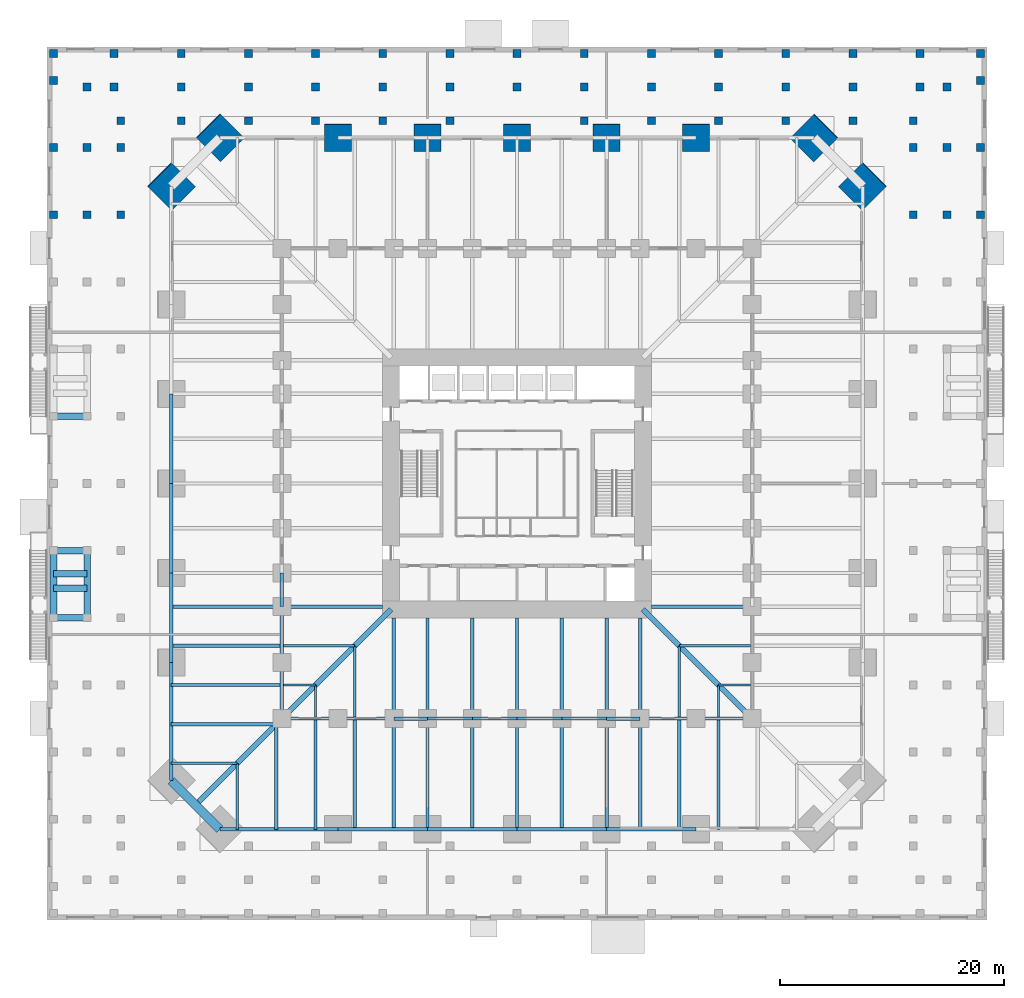
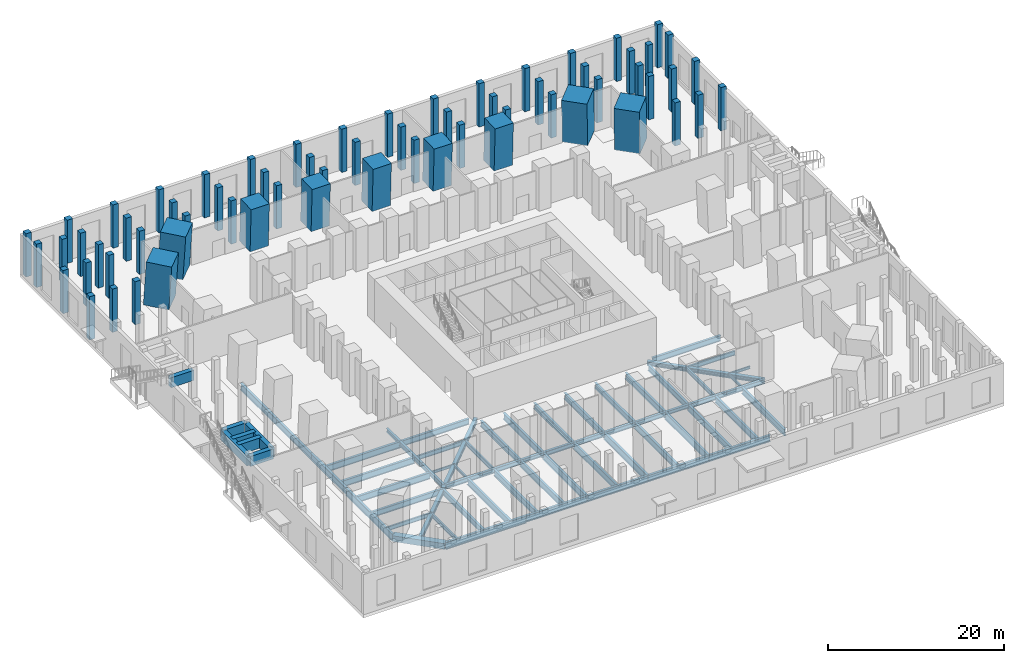
# One storey, part 8 of 20: 68 beams, 65 columns.
"""IFC4 building model written with IfcOpenShell, lengths in metres."""

from ifc_helpers import new_model, si_unit, direction, frame, origin, origin_2d, place, context, subcontext, project, spatial, rectangle, hollow_rectangle, i_section, extrude, material, material_profile, profile_set, type_object, element, save


model = new_model("IFC4")

# Units and contexts
model_context = context("Model", 3, precision=1e-05, world=origin(), true_north=direction((0.0, 1.0)))
body_context = subcontext(model_context, "Body", "Model", "MODEL_VIEW")
ifc_project = project(units=[si_unit("LENGTHUNIT", "METRE"), si_unit("AREAUNIT", "SQUARE_METRE"), si_unit("VOLUMEUNIT", "CUBIC_METRE"), si_unit("PLANEANGLEUNIT", "RADIAN"), si_unit("MASSUNIT", "GRAM", prefix="KILO")], contexts=[model_context])

# Site, building, storey
site_placement = place(None, origin())
site = spatial("IfcSite", under=ifc_project, at=site_placement, CompositionType="ELEMENT")
building_placement = place(site_placement, origin())
building = spatial("IfcBuilding", under=site, at=building_placement, Name="Peilmerk Tower", CompositionType="ELEMENT")
storey_placement = place(building_placement, origin())
storey = spatial("IfcBuildingStorey", under=building, at=storey_placement, Name="L00", CompositionType="ELEMENT", Elevation=0.0)

# Columns
ifc_material_1 = material(Name="Concrete C90/105", Category="concrete")
ifc_material_profile_1 = material_profile(ifc_material_1, rectangle(XDim=3.0, YDim=3.0, at=origin_2d()), Name="RC 3000x3000")
ifc_profile_set_1 = profile_set([ifc_material_profile_1], Name="Concrete C90/105")
column_type_1 = type_object("IfcColumnType", Name="MC1 3000x3000 encased mega column", PredefinedType="COLUMN", material=ifc_profile_set_1)
for number, where, z_axis, x_axis, name in (
    (1, (26.546875, 30.896728515625, 0.0), (-0.040258485407, -0.040258485407, 0.998377938811), (0.707106781187, -0.707106781187, 0.0), "Mega column MC1 NE_N L00"),
    (2, (30.896728515625, 26.546875, 0.0), (-0.040258485407, -0.040258485407, 0.998377938811), (0.707106781187, -0.707106781187, 0.0), "Mega column MC1 NE_E L00"),
    (3, (-30.896728515625, 26.546875, 0.0), (0.040258485407, -0.040258485407, 0.998377938811), (0.707106781187, 0.707106781187, 0.0), "Mega column MC1 NW_W L00"),
    (4, (-26.546875, 30.896728515625, 0.0), (0.040258485407, -0.040258485407, 0.998377938811), (0.707106781187, 0.707106781187, 0.0), "Mega column MC1 NW_N L00"),
):
    element("IfcColumn", number, at=place(storey_placement, frame(where, z_axis=z_axis, x_axis=x_axis)), inside=storey, type_object=column_type_1, Name=name, PredefinedType="COLUMN", context=body_context, shape_type="SweptSolid", body=[
        extrude(rectangle(XDim=3.0, YDim=3.0, at=origin_2d()), origin(), (0.0, 0.0, 1.0), 6.009765625),
    ])
ifc_material_2 = material(Name="Concrete C55/67", Category="concrete")
ifc_material_profile_2 = material_profile(ifc_material_2, rectangle(XDim=0.699951171875, YDim=0.699951171875, at=origin_2d()), Name="RC 700x700")
ifc_profile_set_2 = profile_set([ifc_material_profile_2], Name="Concrete C55/67")
column_type_2 = type_object("IfcColumnType", Name="PC1 700x700 podium column", PredefinedType="COLUMN", material=ifc_profile_set_2)
for number, where, z_axis, x_axis, name in (
    (5, (-35.39990234375, 24.0, 0.0), (0.0, 0.0, 1.0), (1.0, 0.0, 0.0), "Podium column ring A L00"),
    (6, (-35.39990234375, 30.0, 0.0), (0.0, 0.0, 1.0), (1.0, 0.0, 0.0), "Podium column ring A L00"),
    (7, (-35.39990234375, 32.39990234375, 0.0), (0.0, 0.0, 1.0), (1.0, 0.0, 0.0), "Podium column ring A L00"),
    (8, (-30.0, 32.39990234375, 0.0), (0.0, 0.0, 1.0), (1.0, 0.0, 0.0), "Podium column ring A L00"),
    (9, (-24.0, 32.39990234375, 0.0), (0.0, 0.0, 1.0), (1.0, 0.0, 0.0), "Podium column ring A L00"),
    (10, (-18.0, 32.39990234375, 0.0), (0.0, 0.0, 1.0), (1.0, 0.0, 0.0), "Podium column ring A L00"),
    (11, (-12.0, 32.39990234375, 0.0), (0.0, 0.0, 1.0), (1.0, 0.0, 0.0), "Podium column ring A L00"),
    (12, (-6.0, 32.39990234375, 0.0), (0.0, 0.0, 1.0), (1.0, 0.0, 0.0), "Podium column ring A L00"),
    (13, (6.0, 32.39990234375, 0.0), (0.0, 0.0, 1.0), (1.0, 0.0, 0.0), "Podium column ring A L00"),
    (14, (12.0, 32.39990234375, 0.0), (0.0, 0.0, 1.0), (1.0, 0.0, 0.0), "Podium column ring A L00"),
    (15, (18.0, 32.39990234375, 0.0), (0.0, 0.0, 1.0), (1.0, 0.0, 0.0), "Podium column ring A L00"),
    (16, (24.0, 32.39990234375, 0.0), (0.0, 0.0, 1.0), (1.0, 0.0, 0.0), "Podium column ring A L00"),
    (17, (30.0, 32.39990234375, 0.0), (0.0, 0.0, 1.0), (1.0, 0.0, 0.0), "Podium column ring A L00"),
    (18, (35.39990234375, 24.0, 0.0), (0.0, 0.0, 1.0), (1.0, 0.0, 0.0), "Podium column ring A L00"),
    (19, (35.39990234375, 30.0, 0.0), (0.0, 0.0, 1.0), (1.0, 0.0, 0.0), "Podium column ring A L00"),
    (20, (35.39990234375, 32.39990234375, 0.0), (0.0, 0.0, 1.0), (1.0, 0.0, 0.0), "Podium column ring A L00"),
    (21, (-38.39990234375, 24.0, 0.0), (0.0, 0.0, 1.0), (1.0, 0.0, 0.0), "Podium column ring B L00"),
    (22, (-38.39990234375, 30.0, 0.0), (0.0, 0.0, 1.0), (1.0, 0.0, 0.0), "Podium column ring B L00"),
    (23, (-38.39990234375, 35.39990234375, 0.0), (0.0, 0.0, 1.0), (1.0, 0.0, 0.0), "Podium column ring B L00"),
    (24, (-36.0, 35.39990234375, 0.0), (0.0, 0.0, 1.0), (1.0, 0.0, 0.0), "Podium column ring B L00"),
    (25, (-30.0, 35.39990234375, 0.0), (0.0, 0.0, 1.0), (1.0, 0.0, 0.0), "Podium column ring B L00"),
    (26, (-24.0, 35.39990234375, 0.0), (0.0, 0.0, 1.0), (1.0, 0.0, 0.0), "Podium column ring B L00"),
    (27, (-18.0, 35.39990234375, 0.0), (0.0, 0.0, 1.0), (1.0, 0.0, 0.0), "Podium column ring B L00"),
    (28, (-12.0, 35.39990234375, 0.0), (0.0, 0.0, 1.0), (1.0, 0.0, 0.0), "Podium column ring B L00"),
    (29, (-6.0, 35.39990234375, 0.0), (0.0, 0.0, 1.0), (1.0, 0.0, 0.0), "Podium column ring B L00"),
    (30, (0.0, 35.39990234375, 0.0), (0.0, 0.0, 1.0), (1.0, 0.0, 0.0), "Podium column ring B L00"),
    (31, (6.0, 35.39990234375, 0.0), (0.0, 0.0, 1.0), (1.0, 0.0, 0.0), "Podium column ring B L00"),
    (32, (12.0, 35.39990234375, 0.0), (0.0, 0.0, 1.0), (1.0, 0.0, 0.0), "Podium column ring B L00"),
    (33, (18.0, 35.39990234375, 0.0), (0.0, 0.0, 1.0), (1.0, 0.0, 0.0), "Podium column ring B L00"),
    (34, (24.0, 35.39990234375, 0.0), (0.0, 0.0, 1.0), (1.0, 0.0, 0.0), "Podium column ring B L00"),
    (35, (30.0, 35.39990234375, 0.0), (0.0, 0.0, 1.0), (1.0, 0.0, 0.0), "Podium column ring B L00"),
    (36, (36.0, 35.39990234375, 0.0), (0.0, 0.0, 1.0), (1.0, 0.0, 0.0), "Podium column ring B L00"),
    (37, (38.39990234375, 24.0, 0.0), (0.0, 0.0, 1.0), (1.0, 0.0, 0.0), "Podium column ring B L00"),
    (38, (38.39990234375, 30.0, 0.0), (0.0, 0.0, 1.0), (1.0, 0.0, 0.0), "Podium column ring B L00"),
    (39, (38.39990234375, 35.39990234375, 0.0), (0.0, 0.0, 1.0), (1.0, 0.0, 0.0), "Podium column ring B L00"),
    (40, (-41.39990234375, 24.0, 0.0), (0.0, 0.0, 1.0), (1.0, 0.0, 0.0), "Podium column ring C L00"),
    (41, (-41.39990234375, 30.0, 0.0), (0.0, 0.0, 1.0), (1.0, 0.0, 0.0), "Podium column ring C L00"),
    (42, (-41.39990234375, 36.0, 0.0), (0.0, 0.0, 1.0), (1.0, 0.0, 0.0), "Podium column ring C L00"),
    (43, (-41.39990234375, 38.39990234375, 0.0), (0.0, 0.0, 1.0), (1.0, 0.0, 0.0), "Podium column ring C L00"),
    (44, (-36.0, 38.39990234375, 0.0), (0.0, 0.0, 1.0), (1.0, 0.0, 0.0), "Podium column ring C L00"),
    (45, (-30.0, 38.39990234375, 0.0), (0.0, 0.0, 1.0), (1.0, 0.0, 0.0), "Podium column ring C L00"),
    (46, (-24.0, 38.39990234375, 0.0), (0.0, 0.0, 1.0), (1.0, 0.0, 0.0), "Podium column ring C L00"),
    (47, (-18.0, 38.39990234375, 0.0), (0.0, 0.0, 1.0), (1.0, 0.0, 0.0), "Podium column ring C L00"),
    (48, (-12.0, 38.39990234375, 0.0), (0.0, 0.0, 1.0), (1.0, 0.0, 0.0), "Podium column ring C L00"),
    (49, (-6.0, 38.39990234375, 0.0), (0.0, 0.0, 1.0), (1.0, 0.0, 0.0), "Podium column ring C L00"),
    (50, (0.0, 38.39990234375, 0.0), (0.0, 0.0, 1.0), (1.0, 0.0, 0.0), "Podium column ring C L00"),
    (51, (6.0, 38.39990234375, 0.0), (0.0, 0.0, 1.0), (1.0, 0.0, 0.0), "Podium column ring C L00"),
    (52, (12.0, 38.39990234375, 0.0), (0.0, 0.0, 1.0), (1.0, 0.0, 0.0), "Podium column ring C L00"),
    (53, (18.0, 38.39990234375, 0.0), (0.0, 0.0, 1.0), (1.0, 0.0, 0.0), "Podium column ring C L00"),
    (54, (24.0, 38.39990234375, 0.0), (0.0, 0.0, 1.0), (1.0, 0.0, 0.0), "Podium column ring C L00"),
    (55, (30.0, 38.39990234375, 0.0), (0.0, 0.0, 1.0), (1.0, 0.0, 0.0), "Podium column ring C L00"),
    (56, (36.0, 38.39990234375, 0.0), (0.0, 0.0, 1.0), (1.0, 0.0, 0.0), "Podium column ring C L00"),
    (57, (41.39990234375, 24.0, 0.0), (0.0, 0.0, 1.0), (1.0, 0.0, 0.0), "Podium column ring C L00"),
    (58, (41.39990234375, 30.0, 0.0), (0.0, 0.0, 1.0), (1.0, 0.0, 0.0), "Podium column ring C L00"),
    (59, (41.39990234375, 36.0, 0.0), (0.0, 0.0, 1.0), (1.0, 0.0, 0.0), "Podium column ring C L00"),
    (60, (41.39990234375, 38.39990234375, 0.0), (0.0, 0.0, 1.0), (1.0, 0.0, 0.0), "Podium column ring C L00"),
):
    element("IfcColumn", number, at=place(storey_placement, frame(where, z_axis=z_axis, x_axis=x_axis)), inside=storey, type_object=column_type_2, Name=name, PredefinedType="COLUMN", context=body_context, shape_type="SweptSolid", body=[
        extrude(rectangle(XDim=0.699951171875, YDim=0.699951171875, at=origin_2d()), origin(), (0.0, 0.0, 1.0), 6.0),
    ])
ifc_material_profile_3 = material_profile(ifc_material_1, rectangle(XDim=2.39990234375, YDim=2.39990234375, at=origin_2d()), Name="RC 2400x2400")
ifc_profile_set_3 = profile_set([ifc_material_profile_3], Name="Concrete C90/105")
column_type_3 = type_object("IfcColumnType", Name="SC1 2400x2400 encased perimeter column", PredefinedType="COLUMN", material=ifc_profile_set_3)
for number, where, z_axis, x_axis, name in (
    (61, (0.0, 30.896728515625, 0.0), (0.0, -0.0402911495, 0.999187981949), (1.0, 0.0, 0.0), "Perimeter column N+0 L00"),
    (62, (8.0, 30.896728515625, 0.0), (0.0, -0.0402911495, 0.999187981949), (1.0, 0.0, 0.0), "Perimeter column N-8 L00"),
    (63, (-8.0, 30.896728515625, 0.0), (0.0, -0.0402911495, 0.999187981949), (1.0, 0.0, 0.0), "Perimeter column N+8 L00"),
    (64, (16.0, 30.896728515625, 0.0), (0.0, -0.0402911495, 0.999187981949), (1.0, 0.0, 0.0), "Perimeter column N-16 L00"),
    (65, (-16.0, 30.896728515625, 0.0), (0.0, -0.0402911495, 0.999187981949), (1.0, 0.0, 0.0), "Perimeter column N+16 L00"),
):
    element("IfcColumn", number, at=place(storey_placement, frame(where, z_axis=z_axis, x_axis=x_axis)), inside=storey, type_object=column_type_3, Name=name, PredefinedType="COLUMN", context=body_context, shape_type="SweptSolid", body=[
        extrude(rectangle(XDim=2.39990234375, YDim=2.39990234375, at=origin_2d()), origin(), (0.0, 0.0, 1.0), 6.0048828125),
    ])

# Beams
ifc_material_3 = material(Name="Steel S355", Category="steel")
ifc_material_profile_4 = material_profile(ifc_material_3, i_section(OverallWidth=0.302001953125, OverallDepth=1.008056640625, WebThickness=0.02099609375, FlangeThickness=0.0400390625, at=origin_2d()), Name="HEM 1000")
ifc_profile_set_4 = profile_set([ifc_material_profile_4], Name="Steel S355")
beam_type_1 = type_object("IfcBeamType", Name="B1 HEM 1000 edge beam", PredefinedType="SPANDREL", material=ifc_profile_set_4)
for number, where, z_axis, x_axis, name in (
    (66, (-26.546875, -30.896728515625, -0.7041015625), (1.0, 0.0, 0.0), (0.0, 1.0, 0.0), "Edge beam L00"),
    (67, (-30.896728515625, -16.0, -0.7041015625), (0.0, -1.0, 0.0), (1.0, 0.0, 0.0), "Edge beam L00"),
):
    element("IfcBeam", number, at=place(storey_placement, frame(where, z_axis=z_axis, x_axis=x_axis)), inside=storey, type_object=beam_type_1, Name=name, PredefinedType="SPANDREL", context=body_context, shape_type="SweptSolid", body=[
        extrude(i_section(OverallWidth=0.302001953125, OverallDepth=1.008056640625, WebThickness=0.02099609375, FlangeThickness=0.0400390625, at=origin_2d()), origin(), (0.0, 0.0, 1.0), 10.546875),
    ])
ifc_material_profile_5 = material_profile(ifc_material_3, i_section(OverallWidth=0.219970703125, OverallDepth=0.60009765625, WebThickness=0.011962890625, FlangeThickness=0.01904296875, at=origin_2d()), Name="IPE 600")
ifc_profile_set_5 = profile_set([ifc_material_profile_5], Name="Steel S355")
beam_type_2 = type_object("IfcBeamType", Name="B10 IPE 600 floor beam", PredefinedType="BEAM", material=ifc_profile_set_5)
for number, where, z_axis, x_axis, name in (
    (68, (14.5, -14.5, -0.5), (0.0, -1.0, 0.0), (1.0, 0.0, 0.0), "Floor beam L00"),
    (69, (14.5, -14.5, -0.5), (1.0, 0.0, 0.0), (0.0, 1.0, 0.0), "Floor beam L00"),
    (70, (-14.5, -14.5, -0.5), (0.0, -1.0, 0.0), (1.0, 0.0, 0.0), "Floor beam L00"),
    (71, (-14.5, -14.5, -0.5), (-1.0, 0.0, 0.0), (0.0, -1.0, 0.0), "Floor beam L00"),
):
    element("IfcBeam", number, at=place(storey_placement, frame(where, z_axis=z_axis, x_axis=x_axis)), inside=storey, type_object=beam_type_2, Name=name, PredefinedType="BEAM", context=body_context, shape_type="SweptSolid", body=[
        extrude(i_section(OverallWidth=0.219970703125, OverallDepth=0.60009765625, WebThickness=0.011962890625, FlangeThickness=0.01904296875, at=origin_2d()), origin(), (0.0, 0.0, 1.0), 6.347412109375),
    ])
ifc_material_profile_6 = material_profile(ifc_material_3, i_section(OverallWidth=0.169921875, OverallDepth=0.360107421875, WebThickness=0.008056640625, FlangeThickness=0.0126953125, at=origin_2d()), Name="IPE 360")
ifc_profile_set_6 = profile_set([ifc_material_profile_6], Name="Steel S355")
beam_type_3 = type_object("IfcBeamType", Name="B11 IPE 360 floor beam", PredefinedType="BEAM", material=ifc_profile_set_6)
for number, where, z_axis, x_axis, name in (
    (72, (18.0, -18.0, -0.3798828125), (0.0, -1.0, 0.0), (1.0, 0.0, 0.0), "Floor beam L00"),
    (73, (18.0, -18.0, -0.3798828125), (1.0, 0.0, 0.0), (0.0, 1.0, 0.0), "Floor beam L00"),
    (74, (-18.0, -18.0, -0.3798828125), (0.0, -1.0, 0.0), (1.0, 0.0, 0.0), "Floor beam L00"),
    (75, (-18.0, -18.0, -0.3798828125), (-1.0, 0.0, 0.0), (0.0, -1.0, 0.0), "Floor beam L00"),
):
    element("IfcBeam", number, at=place(storey_placement, frame(where, z_axis=z_axis, x_axis=x_axis)), inside=storey, type_object=beam_type_3, Name=name, PredefinedType="BEAM", context=body_context, shape_type="SweptSolid", body=[
        extrude(i_section(OverallWidth=0.169921875, OverallDepth=0.360107421875, WebThickness=0.008056640625, FlangeThickness=0.0126953125, at=origin_2d()), origin(), (0.0, 0.0, 1.0), 2.847412109375),
    ])
ifc_material_profile_7 = material_profile(ifc_material_3, i_section(OverallWidth=0.2099609375, OverallDepth=0.550048828125, WebThickness=0.010986328125, FlangeThickness=0.01708984375, at=origin_2d()), Name="IPE 550")
ifc_profile_set_7 = profile_set([ifc_material_profile_7], Name="Steel S355")
beam_type_4 = type_object("IfcBeamType", Name="B12 IPE 550 floor beam", PredefinedType="BEAM", material=ifc_profile_set_7)
for number, where, z_axis, x_axis, name in (
    (76, (-25.0, -25.0, -0.47509765625), (0.0, -1.0, 0.0), (1.0, 0.0, 0.0), "Floor beam L00"),
    (77, (-25.0, -25.0, -0.47509765625), (-1.0, 0.0, 0.0), (0.0, -1.0, 0.0), "Floor beam L00"),
):
    element("IfcBeam", number, at=place(storey_placement, frame(where, z_axis=z_axis, x_axis=x_axis)), inside=storey, type_object=beam_type_4, Name=name, PredefinedType="BEAM", context=body_context, shape_type="SweptSolid", body=[
        extrude(i_section(OverallWidth=0.2099609375, OverallDepth=0.550048828125, WebThickness=0.010986328125, FlangeThickness=0.01708984375, at=origin_2d()), origin(), (0.0, 0.0, 1.0), 5.896728515625),
    ])
ifc_material_profile_8 = material_profile(ifc_material_3, i_section(OverallWidth=0.302001953125, OverallDepth=0.909912109375, WebThickness=0.02099609375, FlangeThickness=0.0400390625, at=origin_2d()), Name="HEM 900")
ifc_profile_set_8 = profile_set([ifc_material_profile_8], Name="Steel S355")
beam_type_5 = type_object("IfcBeamType", Name="B2 HEM 900 edge beam", PredefinedType="SPANDREL", material=ifc_profile_set_8)
for number, where, z_axis, x_axis, name in (
    (78, (-16.0, -30.896728515625, -0.655029296875), (1.0, 0.0, 0.0), (0.0, 1.0, 0.0), "Edge beam L00"),
    (79, (-8.0, -30.896728515625, -0.655029296875), (1.0, 0.0, 0.0), (0.0, 1.0, 0.0), "Edge beam L00"),
    (80, (0.0, -30.896728515625, -0.655029296875), (1.0, 0.0, 0.0), (0.0, 1.0, 0.0), "Edge beam L00"),
    (81, (8.0, -30.896728515625, -0.655029296875), (1.0, 0.0, 0.0), (0.0, 1.0, 0.0), "Edge beam L00"),
    (82, (-30.896728515625, 8.0, -0.655029296875), (0.0, -1.0, 0.0), (1.0, 0.0, 0.0), "Edge beam L00"),
    (83, (-30.896728515625, 0.0, -0.655029296875), (0.0, -1.0, 0.0), (1.0, 0.0, 0.0), "Edge beam L00"),
    (84, (-30.896728515625, -8.0, -0.655029296875), (0.0, -1.0, 0.0), (1.0, 0.0, 0.0), "Edge beam L00"),
):
    element("IfcBeam", number, at=place(storey_placement, frame(where, z_axis=z_axis, x_axis=x_axis)), inside=storey, type_object=beam_type_5, Name=name, PredefinedType="SPANDREL", context=body_context, shape_type="SweptSolid", body=[
        extrude(i_section(OverallWidth=0.302001953125, OverallDepth=0.909912109375, WebThickness=0.02099609375, FlangeThickness=0.0400390625, at=origin_2d()), origin(), (0.0, 0.0, 1.0), 8.0),
    ])
ifc_material_profile_9 = material_profile(ifc_material_3, i_section(OverallWidth=0.300048828125, OverallDepth=0.7900390625, WebThickness=0.014892578125, FlangeThickness=0.028076171875, at=origin_2d()), Name="HEA 800")
ifc_profile_set_9 = profile_set([ifc_material_profile_9], Name="Steel S355")
beam_type_6 = type_object("IfcBeamType", Name="B3 HEA 800 floor beam", PredefinedType="BEAM", material=ifc_profile_set_9)
for number, where, z_axis, x_axis, name in (
    (85, (12.0, -11.0, -0.594970703125), (1.0, 0.0, 0.0), (0.0, 1.0, 0.0), "Floor beam L00"),
    (86, (-11.0, -12.0, -0.594970703125), (0.0, -1.0, 0.0), (1.0, 0.0, 0.0), "Floor beam L00"),
    (87, (-4.0, -12.0, -0.594970703125), (0.0, -1.0, 0.0), (1.0, 0.0, 0.0), "Floor beam L00"),
    (88, (4.0, -12.0, -0.594970703125), (0.0, -1.0, 0.0), (1.0, 0.0, 0.0), "Floor beam L00"),
    (89, (11.0, -12.0, -0.594970703125), (0.0, -1.0, 0.0), (1.0, 0.0, 0.0), "Floor beam L00"),
    (90, (-12.0, -11.0, -0.594970703125), (-1.0, 0.0, 0.0), (0.0, -1.0, 0.0), "Floor beam L00"),
):
    element("IfcBeam", number, at=place(storey_placement, frame(where, z_axis=z_axis, x_axis=x_axis)), inside=storey, type_object=beam_type_6, Name=name, PredefinedType="BEAM", context=body_context, shape_type="SweptSolid", body=[
        extrude(i_section(OverallWidth=0.300048828125, OverallDepth=0.7900390625, WebThickness=0.014892578125, FlangeThickness=0.028076171875, at=origin_2d()), origin(), (0.0, 0.0, 1.0), 9.0),
    ])
for number, where, z_axis, x_axis, name in (
    (91, (-21.5, -21.5, -0.594970703125), (0.0, -1.0, 0.0), (1.0, 0.0, 0.0), "Floor beam L00"),
    (92, (-21.5, -21.5, -0.594970703125), (-1.0, 0.0, 0.0), (0.0, -1.0, 0.0), "Floor beam L00"),
):
    element("IfcBeam", number, at=place(storey_placement, frame(where, z_axis=z_axis, x_axis=x_axis)), inside=storey, type_object=beam_type_6, Name=name, PredefinedType="BEAM", context=body_context, shape_type="SweptSolid", body=[
        extrude(i_section(OverallWidth=0.300048828125, OverallDepth=0.7900390625, WebThickness=0.014892578125, FlangeThickness=0.028076171875, at=origin_2d()), origin(), (0.0, 0.0, 1.0), 9.396728515625),
    ])
ifc_material_profile_10 = material_profile(ifc_material_3, i_section(OverallWidth=0.300048828125, OverallDepth=0.889892578125, WebThickness=0.01611328125, FlangeThickness=0.030029296875, at=origin_2d()), Name="HEA 900")
ifc_profile_set_10 = profile_set([ifc_material_profile_10], Name="Steel S355")
beam_type_7 = type_object("IfcBeamType", Name="B4 HEA 900 floor beam", PredefinedType="BEAM", material=ifc_profile_set_10)
beam_1_placement = place(storey_placement, frame((-11.0, -21.0, -0.64501953125), z_axis=(0.0, -1.0, 0.0), x_axis=(1.0, 0.0, 0.0)))
element("IfcBeam", 93, at=beam_1_placement, inside=storey, type_object=beam_type_7, Name="Floor beam L00", PredefinedType="BEAM", context=body_context, shape_type="SweptSolid", body=[
    extrude(i_section(OverallWidth=0.300048828125, OverallDepth=0.889892578125, WebThickness=0.01611328125, FlangeThickness=0.030029296875, at=origin_2d()), origin(), (0.0, 0.0, 1.0), 9.896728515625),
])
beam_2_placement = place(storey_placement, frame((-8.0, -12.0, -0.64501953125), z_axis=(0.0, -1.0, 0.0), x_axis=(1.0, 0.0, 0.0)))
element("IfcBeam", 94, at=beam_2_placement, inside=storey, type_object=beam_type_7, Name="Floor girder L00", PredefinedType="BEAM", context=body_context, shape_type="SweptSolid", body=[
    extrude(i_section(OverallWidth=0.300048828125, OverallDepth=0.889892578125, WebThickness=0.01611328125, FlangeThickness=0.030029296875, at=origin_2d()), origin(), (0.0, 0.0, 1.0), 9.0),
])
beam_3_placement = place(storey_placement, frame((-4.0, -21.0, -0.64501953125), z_axis=(0.0, -1.0, 0.0), x_axis=(1.0, 0.0, 0.0)))
element("IfcBeam", 95, at=beam_3_placement, inside=storey, type_object=beam_type_7, Name="Floor beam L00", PredefinedType="BEAM", context=body_context, shape_type="SweptSolid", body=[
    extrude(i_section(OverallWidth=0.300048828125, OverallDepth=0.889892578125, WebThickness=0.01611328125, FlangeThickness=0.030029296875, at=origin_2d()), origin(), (0.0, 0.0, 1.0), 9.896728515625),
])
beam_4_placement = place(storey_placement, frame((0.0, -12.0, -0.64501953125), z_axis=(0.0, -1.0, 0.0), x_axis=(1.0, 0.0, 0.0)))
element("IfcBeam", 96, at=beam_4_placement, inside=storey, type_object=beam_type_7, Name="Floor girder L00", PredefinedType="BEAM", context=body_context, shape_type="SweptSolid", body=[
    extrude(i_section(OverallWidth=0.300048828125, OverallDepth=0.889892578125, WebThickness=0.01611328125, FlangeThickness=0.030029296875, at=origin_2d()), origin(), (0.0, 0.0, 1.0), 9.0),
])
beam_5_placement = place(storey_placement, frame((4.0, -21.0, -0.64501953125), z_axis=(0.0, -1.0, 0.0), x_axis=(1.0, 0.0, 0.0)))
element("IfcBeam", 97, at=beam_5_placement, inside=storey, type_object=beam_type_7, Name="Floor beam L00", PredefinedType="BEAM", context=body_context, shape_type="SweptSolid", body=[
    extrude(i_section(OverallWidth=0.300048828125, OverallDepth=0.889892578125, WebThickness=0.01611328125, FlangeThickness=0.030029296875, at=origin_2d()), origin(), (0.0, 0.0, 1.0), 9.896728515625),
])
beam_6_placement = place(storey_placement, frame((8.0, -12.0, -0.64501953125), z_axis=(0.0, -1.0, 0.0), x_axis=(1.0, 0.0, 0.0)))
element("IfcBeam", 98, at=beam_6_placement, inside=storey, type_object=beam_type_7, Name="Floor girder L00", PredefinedType="BEAM", context=body_context, shape_type="SweptSolid", body=[
    extrude(i_section(OverallWidth=0.300048828125, OverallDepth=0.889892578125, WebThickness=0.01611328125, FlangeThickness=0.030029296875, at=origin_2d()), origin(), (0.0, 0.0, 1.0), 9.0),
])
for number, where, z_axis, x_axis, name in (
    (99, (11.0, -21.0, -0.64501953125), (0.0, -1.0, 0.0), (1.0, 0.0, 0.0), "Floor beam L00"),
    (100, (-21.0, -11.0, -0.64501953125), (-1.0, 0.0, 0.0), (0.0, -1.0, 0.0), "Floor beam L00"),
):
    element("IfcBeam", number, at=place(storey_placement, frame(where, z_axis=z_axis, x_axis=x_axis)), inside=storey, type_object=beam_type_7, Name=name, PredefinedType="BEAM", context=body_context, shape_type="SweptSolid", body=[
        extrude(i_section(OverallWidth=0.300048828125, OverallDepth=0.889892578125, WebThickness=0.01611328125, FlangeThickness=0.030029296875, at=origin_2d()), origin(), (0.0, 0.0, 1.0), 9.896728515625),
    ])
for number, where, z_axis, x_axis, name in (
    (101, (14.5, -21.152587890625, -0.64501953125), (0.0, -1.0, 0.0), (1.0, 0.0, 0.0), "Floor beam L00"),
    (102, (18.0, -21.152587890625, -0.64501953125), (0.0, -1.0, 0.0), (1.0, 0.0, 0.0), "Floor beam L00"),
    (103, (-14.5, -21.152587890625, -0.64501953125), (0.0, -1.0, 0.0), (1.0, 0.0, 0.0), "Floor beam L00"),
    (104, (-21.152587890625, -14.5, -0.64501953125), (-1.0, 0.0, 0.0), (0.0, -1.0, 0.0), "Floor beam L00"),
    (105, (-18.0, -21.152587890625, -0.64501953125), (0.0, -1.0, 0.0), (1.0, 0.0, 0.0), "Floor beam L00"),
    (106, (-21.152587890625, -18.0, -0.64501953125), (-1.0, 0.0, 0.0), (0.0, -1.0, 0.0), "Floor beam L00"),
):
    element("IfcBeam", number, at=place(storey_placement, frame(where, z_axis=z_axis, x_axis=x_axis)), inside=storey, type_object=beam_type_7, Name=name, PredefinedType="BEAM", context=body_context, shape_type="SweptSolid", body=[
        extrude(i_section(OverallWidth=0.300048828125, OverallDepth=0.889892578125, WebThickness=0.01611328125, FlangeThickness=0.030029296875, at=origin_2d()), origin(), (0.0, 0.0, 1.0), 9.744140625),
    ])
ifc_material_profile_11 = material_profile(ifc_material_3, i_section(OverallWidth=0.300048828125, OverallDepth=1.0, WebThickness=0.01904296875, FlangeThickness=0.035888671875, at=origin_2d()), Name="HEB 1000")
ifc_profile_set_11 = profile_set([ifc_material_profile_11], Name="Steel S355")
beam_type_8 = type_object("IfcBeamType", Name="B5 HEB 1000 floor girder", PredefinedType="BEAM", material=ifc_profile_set_11)
for number, where, z_axis, x_axis, name in (
    (107, (-8.0, -21.0, -0.699951171875), (0.0, -1.0, 0.0), (1.0, 0.0, 0.0), "Floor girder L00"),
    (108, (0.0, -21.0, -0.699951171875), (0.0, -1.0, 0.0), (1.0, 0.0, 0.0), "Floor girder L00"),
    (109, (8.0, -21.0, -0.699951171875), (0.0, -1.0, 0.0), (1.0, 0.0, 0.0), "Floor girder L00"),
):
    element("IfcBeam", number, at=place(storey_placement, frame(where, z_axis=z_axis, x_axis=x_axis)), inside=storey, type_object=beam_type_8, Name=name, PredefinedType="BEAM", context=body_context, shape_type="SweptSolid", body=[
        extrude(i_section(OverallWidth=0.300048828125, OverallDepth=1.0, WebThickness=0.01904296875, FlangeThickness=0.035888671875, at=origin_2d()), origin(), (0.0, 0.0, 1.0), 9.896728515625),
    ])
ifc_material_profile_12 = material_profile(ifc_material_3, i_section(OverallWidth=0.304931640625, OverallDepth=0.6201171875, WebThickness=0.02099609375, FlangeThickness=0.0400390625, at=origin_2d()), Name="HEM 600")
ifc_profile_set_12 = profile_set([ifc_material_profile_12], Name="Steel S355")
beam_type_9 = type_object("IfcBeamType", Name="B6 HEM 600 ring girder", PredefinedType="BEAM", material=ifc_profile_set_12)
for number, where, z_axis, x_axis, name in (
    (110, (-21.0, -21.0, -0.510009765625), (1.0, 0.0, 0.0), (0.0, 1.0, 0.0), "Ring girder L00"),
    (111, (-16.0, -21.0, -0.510009765625), (1.0, 0.0, 0.0), (0.0, 1.0, 0.0), "Ring girder L00"),
):
    element("IfcBeam", number, at=place(storey_placement, frame(where, z_axis=z_axis, x_axis=x_axis)), inside=storey, type_object=beam_type_9, Name=name, PredefinedType="BEAM", context=body_context, shape_type="SweptSolid", body=[
        extrude(i_section(OverallWidth=0.304931640625, OverallDepth=0.6201171875, WebThickness=0.02099609375, FlangeThickness=0.0400390625, at=origin_2d()), origin(), (0.0, 0.0, 1.0), 5.0),
    ])
for number, where, z_axis, x_axis, name in (
    (112, (-8.0, -21.0, -0.510009765625), (1.0, 0.0, 0.0), (0.0, 1.0, 0.0), "Ring girder L00"),
    (113, (-4.0, -21.0, -0.510009765625), (1.0, 0.0, 0.0), (0.0, 1.0, 0.0), "Ring girder L00"),
    (114, (0.0, -21.0, -0.510009765625), (1.0, 0.0, 0.0), (0.0, 1.0, 0.0), "Ring girder L00"),
    (115, (4.0, -21.0, -0.510009765625), (1.0, 0.0, 0.0), (0.0, 1.0, 0.0), "Ring girder L00"),
):
    element("IfcBeam", number, at=place(storey_placement, frame(where, z_axis=z_axis, x_axis=x_axis)), inside=storey, type_object=beam_type_9, Name=name, PredefinedType="BEAM", context=body_context, shape_type="SweptSolid", body=[
        extrude(i_section(OverallWidth=0.304931640625, OverallDepth=0.6201171875, WebThickness=0.02099609375, FlangeThickness=0.0400390625, at=origin_2d()), origin(), (0.0, 0.0, 1.0), 4.0),
    ])
for number, where, z_axis, x_axis, name in (
    (116, (11.0, -21.0, -0.510009765625), (1.0, 0.0, 0.0), (0.0, 1.0, 0.0), "Ring girder L00"),
    (117, (16.0, -21.0, -0.510009765625), (1.0, 0.0, 0.0), (0.0, 1.0, 0.0), "Ring girder L00"),
    (118, (-21.0, -11.0, -0.510009765625), (0.0, -1.0, 0.0), (1.0, 0.0, 0.0), "Ring girder L00"),
    (119, (-21.0, -16.0, -0.510009765625), (0.0, -1.0, 0.0), (1.0, 0.0, 0.0), "Ring girder L00"),
):
    element("IfcBeam", number, at=place(storey_placement, frame(where, z_axis=z_axis, x_axis=x_axis)), inside=storey, type_object=beam_type_9, Name=name, PredefinedType="BEAM", context=body_context, shape_type="SweptSolid", body=[
        extrude(i_section(OverallWidth=0.304931640625, OverallDepth=0.6201171875, WebThickness=0.02099609375, FlangeThickness=0.0400390625, at=origin_2d()), origin(), (0.0, 0.0, 1.0), 5.0),
    ])
ifc_material_profile_13 = material_profile(ifc_material_3, i_section(OverallWidth=0.305908203125, OverallDepth=0.52392578125, WebThickness=0.02099609375, FlangeThickness=0.0400390625, at=origin_2d()), Name="HEM 500")
ifc_profile_set_13 = profile_set([ifc_material_profile_13], Name="Steel S355")
beam_type_10 = type_object("IfcBeamType", Name="B7 HEM 500 ring girder", PredefinedType="BEAM", material=ifc_profile_set_13)
for number, where, z_axis, x_axis, name in (
    (120, (-11.0, -21.0, -0.4619140625), (1.0, 0.0, 0.0), (0.0, 1.0, 0.0), "Ring girder L00"),
    (121, (8.0, -21.0, -0.4619140625), (1.0, 0.0, 0.0), (0.0, 1.0, 0.0), "Ring girder L00"),
    (122, (-21.0, -8.0, -0.4619140625), (0.0, -1.0, 0.0), (1.0, 0.0, 0.0), "Ring girder L00"),
):
    element("IfcBeam", number, at=place(storey_placement, frame(where, z_axis=z_axis, x_axis=x_axis)), inside=storey, type_object=beam_type_10, Name=name, PredefinedType="BEAM", context=body_context, shape_type="SweptSolid", body=[
        extrude(i_section(OverallWidth=0.305908203125, OverallDepth=0.52392578125, WebThickness=0.02099609375, FlangeThickness=0.0400390625, at=origin_2d()), origin(), (0.0, 0.0, 1.0), 3.0),
    ])
ifc_material_4 = material(Name="Steel S460", Category="steel")
ifc_material_profile_14 = material_profile(ifc_material_4, hollow_rectangle(XDim=0.800048828125, YDim=0.800048828125, WallThickness=0.080078125, at=origin_2d()), Name="BOX 800x800x80")
ifc_profile_set_14 = profile_set([ifc_material_profile_14], Name="Steel S460")
beam_type_11 = type_object("IfcBeamType", Name="B8 BOX 800x800x80 notch beam", PredefinedType="SPANDREL", material=ifc_profile_set_14)
beam_7_placement = place(storey_placement, frame((-26.546875, -30.896728515625, -0.60009765625), z_axis=(-0.707106781187, 0.707106781187, 0.0), x_axis=(-0.707106781187, -0.707106781187, 0.0)))
element("IfcBeam", 123, at=beam_7_placement, inside=storey, type_object=beam_type_11, Name="Notch beam L00", PredefinedType="SPANDREL", context=body_context, shape_type="SweptSolid", body=[
    extrude(hollow_rectangle(XDim=0.800048828125, YDim=0.800048828125, WallThickness=0.080078125, at=origin_2d()), origin(), (0.0, 0.0, 1.0), 6.151611328125),
])
ifc_material_profile_15 = material_profile(ifc_material_4, i_section(OverallWidth=0.4541015625, OverallDepth=0.569091796875, WebThickness=0.077880859375, FlangeThickness=0.125, at=origin_2d()), Name="HD 400x1086")
ifc_profile_set_15 = profile_set([ifc_material_profile_15], Name="Steel S460")
beam_type_12 = type_object("IfcBeamType", Name="B9 HD 400x1086 corner girder", PredefinedType="BEAM", material=ifc_profile_set_15)
for number, where, z_axis, x_axis, name in (
    (124, (11.25, -11.25, -0.484619140625), (0.707106781187, -0.707106781187, 0.0), (0.707106781187, 0.707106781187, 0.0), "Corner girder L00"),
    (125, (-11.25, -11.25, -0.484619140625), (-0.707106781187, -0.707106781187, 0.0), (0.707106781187, -0.707106781187, 0.0), "Corner girder L00"),
):
    element("IfcBeam", number, at=place(storey_placement, frame(where, z_axis=z_axis, x_axis=x_axis)), inside=storey, type_object=beam_type_12, Name=name, PredefinedType="BEAM", context=body_context, shape_type="SweptSolid", body=[
        extrude(i_section(OverallWidth=0.4541015625, OverallDepth=0.569091796875, WebThickness=0.077880859375, FlangeThickness=0.125, at=origin_2d()), origin(), (0.0, 0.0, 1.0), 13.78857421875),
    ])
beam_8_placement = place(storey_placement, frame((-21.0, -21.0, -0.484619140625), z_axis=(-0.707106781187, -0.707106781187, 0.0), x_axis=(0.707106781187, -0.707106781187, 0.0)))
element("IfcBeam", 126, at=beam_8_placement, inside=storey, type_object=beam_type_12, Name="Corner girder L00", PredefinedType="BEAM", context=body_context, shape_type="SweptSolid", body=[
    extrude(i_section(OverallWidth=0.4541015625, OverallDepth=0.569091796875, WebThickness=0.077880859375, FlangeThickness=0.125, at=origin_2d()), origin(), (0.0, 0.0, 1.0), 10.920166015625),
])
ifc_material_5 = material(Name="Concrete C35/45", Category="concrete")
ifc_material_profile_16 = material_profile(ifc_material_5, rectangle(XDim=0.60009765625, YDim=1.39990234375, at=origin_2d()), Name="RC 600x1400")
ifc_profile_set_16 = profile_set([ifc_material_profile_16], Name="Concrete C35/45")
beam_type_13 = type_object("IfcBeamType", Name="TB1 600x1400 stair transfer beam", PredefinedType="BEAM", material=ifc_profile_set_16)
for number, where, z_axis, x_axis, name in (
    (127, (-38.39990234375, 6.0, 4.85009765625), (-1.0, 0.0, 0.0), (0.0, -1.0, 0.0), "External stair 5 transfer beam"),
    (128, (-38.39990234375, -6.0, 4.85009765625), (-1.0, 0.0, 0.0), (0.0, -1.0, 0.0), "External stair 6 transfer beam"),
    (129, (-38.39990234375, -12.0, 4.85009765625), (-1.0, 0.0, 0.0), (0.0, -1.0, 0.0), "External stair 6 transfer beam"),
):
    element("IfcBeam", number, at=place(storey_placement, frame(where, z_axis=z_axis, x_axis=x_axis)), inside=storey, type_object=beam_type_13, Name=name, PredefinedType="BEAM", context=body_context, shape_type="SweptSolid", body=[
        extrude(rectangle(XDim=0.60009765625, YDim=1.39990234375, at=origin_2d()), origin(), (0.0, 0.0, 1.0), 3.0),
    ])
for number, where, z_axis, x_axis, name in (
    (130, (-38.39990234375, -6.0, 4.85009765625), (0.0, -1.0, 0.0), (1.0, 0.0, 0.0), "External stair 6 transfer beam"),
    (131, (-41.39990234375, -6.0, 4.85009765625), (0.0, -1.0, 0.0), (1.0, 0.0, 0.0), "External stair 6 transfer beam"),
):
    element("IfcBeam", number, at=place(storey_placement, frame(where, z_axis=z_axis, x_axis=x_axis)), inside=storey, type_object=beam_type_13, Name=name, PredefinedType="BEAM", context=body_context, shape_type="SweptSolid", body=[
        extrude(rectangle(XDim=0.60009765625, YDim=1.39990234375, at=origin_2d()), origin(), (0.0, 0.0, 1.0), 6.0),
    ])
for number, where, z_axis, x_axis, name in (
    (132, (-38.39990234375, -9.360107421875, 4.85009765625), (-1.0, 0.0, 0.0), (0.0, -1.0, 0.0), "External stair 6 transfer beam"),
    (133, (-38.39990234375, -8.06005859375, 4.85009765625), (-1.0, 0.0, 0.0), (0.0, -1.0, 0.0), "External stair 6 transfer beam"),
):
    element("IfcBeam", number, at=place(storey_placement, frame(where, z_axis=z_axis, x_axis=x_axis)), inside=storey, type_object=beam_type_13, Name=name, PredefinedType="BEAM", context=body_context, shape_type="SweptSolid", body=[
        extrude(rectangle(XDim=0.60009765625, YDim=1.39990234375, at=origin_2d()), origin(), (0.0, 0.0, 1.0), 3.0),
    ])

save(model, "model.ifc")
